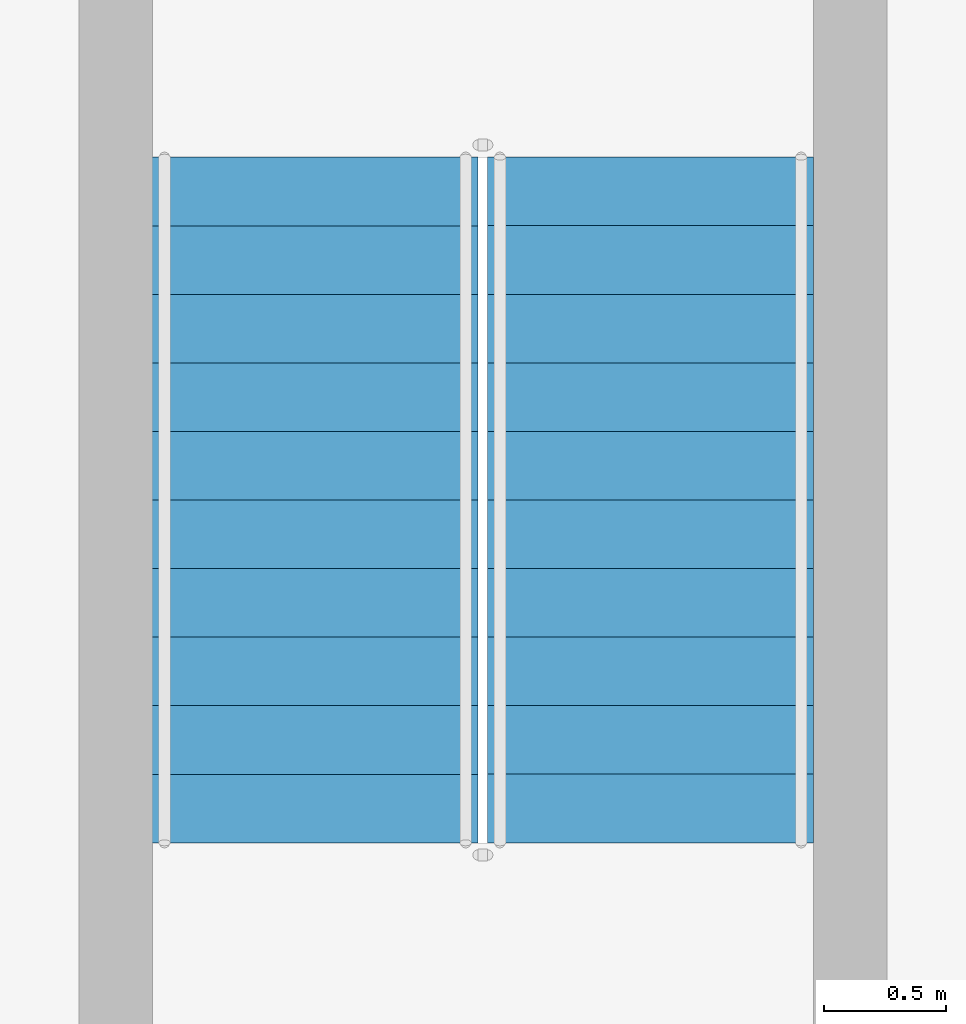
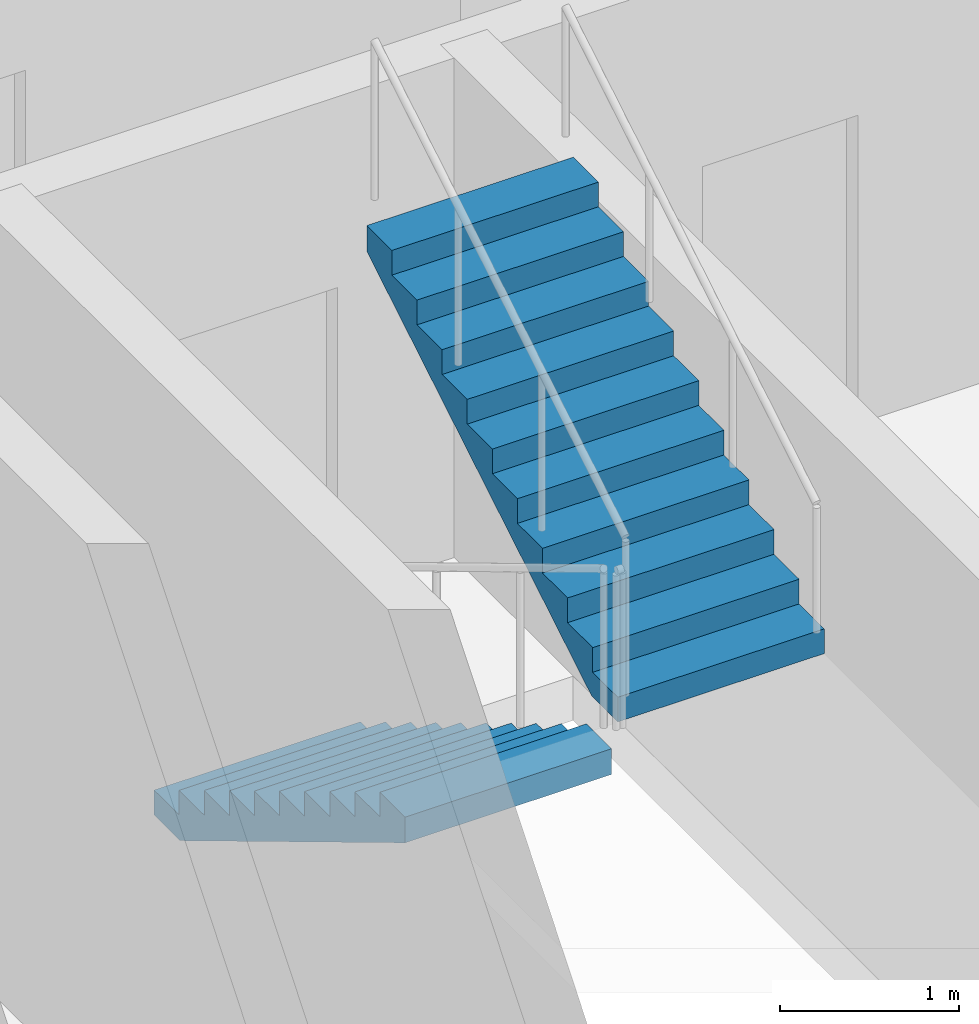
# One storey, part 15 of 23: 2 stair flights, 1 element without a shape of its own.
"""IFC4 building model written with IfcOpenShell, lengths in metres."""

from ifc_helpers import new_model, si_unit, direction, frame, origin, place, context, subcontext, project, spatial, triangles, source, transform, mapped, material, type_object, element, aggregate, save


model = new_model("IFC4")

# Units and contexts
model_context = context("Model", 3, precision=1e-05, world=origin(), true_north=direction((0.0, 1.0)))
body_context = subcontext(model_context, "Body", "Model", "MODEL_VIEW")
ifc_project = project(units=[si_unit("LENGTHUNIT", "METRE"), si_unit("AREAUNIT", "SQUARE_METRE"), si_unit("VOLUMEUNIT", "CUBIC_METRE"), si_unit("PLANEANGLEUNIT", "RADIAN"), si_unit("MASSUNIT", "GRAM", prefix="KILO")], contexts=[model_context])

# Site, building, storey
site_placement = place(None, origin())
site = spatial("IfcSite", under=ifc_project, at=site_placement, CompositionType="ELEMENT")
building_placement = place(site_placement, origin())
building = spatial("IfcBuilding", under=site, at=building_placement, Name="Ogive Portal Towers", CompositionType="ELEMENT")
storey_placement = place(building_placement, frame((0.0, 0.0, 175.5)))
storey = spatial("IfcBuildingStorey", under=building, at=storey_placement, Name="L43", CompositionType="ELEMENT", Elevation=175.5)

# Stair, stair flights
ifc_material = material(Name="Concrete C40/50", Category="concrete")
stair_type = type_object("IfcStairType", Name="INT-STAIR", PredefinedType="HALF_TURN_STAIR", material=ifc_material)
stair_placement = place(storey_placement, origin())
stair = element("IfcStair", 1, at=stair_placement, inside=storey, type_object=stair_type, Name="L43 Exit Stair ST-A4", PredefinedType="HALF_TURN_STAIR")
stair_flight_type = type_object("IfcStairFlightType", Name="INT-FLIGHT", PredefinedType="STRAIGHT", material=ifc_material)
shared_shape = source(origin(), body_context, "Body", "Tessellation", [
    triangles([(0.0, -0.6650390625, 0.0), (0.0, -0.384765625, 0.0), (0.0, -0.197021484375, 0.0), (0.0, -0.0830078125, 0.0), (0.0, -0.024658203125, 0.0), (0.0, -0.003173828125, 0.0), (0.0, 0.0, 0.0), (0.0, 0.003173828125, 0.0), (0.0, 0.024658203125, 0.0), (0.0, 0.0830078125, 0.0), (0.0, 0.197021484375, 0.0), (0.0, 0.384765625, 0.0), (0.0, 0.6650390625, 0.0), (0.0, -0.6650390625, 0.168212890625), (0.0, -0.384765625, 0.168212890625), (0.0, -0.197021484375, 0.168212890625), (0.0, -0.0830078125, 0.168212890625), (0.0, -0.024658203125, 0.168212890625), (0.0, -0.003173828125, 0.168212890625), (0.0, 0.0, 0.168212890625), (0.0, 0.003173828125, 0.168212890625), (0.0, 0.024658203125, 0.168212890625), (0.0, 0.0830078125, 0.168212890625), (0.0, 0.197021484375, 0.168212890625), (0.0, 0.384765625, 0.168212890625), (0.0, 0.6650390625, 0.168212890625), (0.280029296875, -0.6650390625, 0.168212890625), (0.280029296875, -0.384765625, 0.168212890625), (0.280029296875, -0.197021484375, 0.168212890625), (0.280029296875, -0.0830078125, 0.168212890625), (0.280029296875, -0.024658203125, 0.168212890625), (0.280029296875, -0.003173828125, 0.168212890625), (0.280029296875, 0.0, 0.168212890625), (0.280029296875, 0.003173828125, 0.168212890625), (0.280029296875, 0.024658203125, 0.168212890625), (0.280029296875, 0.0830078125, 0.168212890625), (0.280029296875, 0.197021484375, 0.168212890625), (0.280029296875, 0.384765625, 0.168212890625), (0.280029296875, 0.6650390625, 0.168212890625), (0.280029296875, -0.6650390625, 0.33642578125), (0.280029296875, -0.384765625, 0.33642578125), (0.280029296875, -0.197021484375, 0.33642578125), (0.280029296875, -0.0830078125, 0.33642578125), (0.280029296875, -0.024658203125, 0.33642578125), (0.280029296875, -0.003173828125, 0.33642578125), (0.280029296875, 0.0, 0.33642578125), (0.280029296875, 0.003173828125, 0.33642578125), (0.280029296875, 0.024658203125, 0.33642578125), (0.280029296875, 0.0830078125, 0.33642578125), (0.280029296875, 0.197021484375, 0.33642578125), (0.280029296875, 0.384765625, 0.33642578125), (0.280029296875, 0.6650390625, 0.33642578125), (0.56005859375, -0.6650390625, 0.33642578125), (0.56005859375, -0.384765625, 0.33642578125), (0.56005859375, -0.197021484375, 0.33642578125), (0.56005859375, -0.0830078125, 0.33642578125), (0.56005859375, -0.024658203125, 0.33642578125), (0.56005859375, -0.003173828125, 0.33642578125), (0.56005859375, 0.0, 0.33642578125), (0.56005859375, 0.003173828125, 0.33642578125), (0.56005859375, 0.024658203125, 0.33642578125), (0.56005859375, 0.0830078125, 0.33642578125), (0.56005859375, 0.197021484375, 0.33642578125), (0.56005859375, 0.384765625, 0.33642578125), (0.56005859375, 0.6650390625, 0.33642578125), (0.56005859375, -0.6650390625, 0.504638671875), (0.56005859375, -0.384765625, 0.504638671875), (0.56005859375, -0.197021484375, 0.504638671875), (0.56005859375, -0.0830078125, 0.504638671875), (0.56005859375, -0.024658203125, 0.504638671875), (0.56005859375, -0.003173828125, 0.504638671875), (0.56005859375, 0.0, 0.504638671875), (0.56005859375, 0.003173828125, 0.504638671875), (0.56005859375, 0.024658203125, 0.504638671875), (0.56005859375, 0.0830078125, 0.504638671875), (0.56005859375, 0.197021484375, 0.504638671875), (0.56005859375, 0.384765625, 0.504638671875), (0.56005859375, 0.6650390625, 0.504638671875), (0.840087890625, -0.6650390625, 0.504638671875), (0.840087890625, -0.384765625, 0.504638671875), (0.840087890625, -0.197021484375, 0.504638671875), (0.840087890625, -0.0830078125, 0.504638671875), (0.840087890625, -0.024658203125, 0.504638671875), (0.840087890625, -0.003173828125, 0.504638671875), (0.840087890625, 0.0, 0.504638671875), (0.840087890625, 0.003173828125, 0.504638671875), (0.840087890625, 0.024658203125, 0.504638671875), (0.840087890625, 0.0830078125, 0.504638671875), (0.840087890625, 0.197021484375, 0.504638671875), (0.840087890625, 0.384765625, 0.504638671875), (0.840087890625, 0.6650390625, 0.504638671875), (0.840087890625, -0.6650390625, 0.672607421875), (0.840087890625, -0.384765625, 0.672607421875), (0.840087890625, -0.197021484375, 0.672607421875), (0.840087890625, -0.0830078125, 0.672607421875), (0.840087890625, -0.024658203125, 0.672607421875), (0.840087890625, -0.003173828125, 0.672607421875), (0.840087890625, 0.0, 0.672607421875), (0.840087890625, 0.003173828125, 0.672607421875), (0.840087890625, 0.024658203125, 0.672607421875), (0.840087890625, 0.0830078125, 0.672607421875), (0.840087890625, 0.197021484375, 0.672607421875), (0.840087890625, 0.384765625, 0.672607421875), (0.840087890625, 0.6650390625, 0.672607421875), (1.1201171875, -0.6650390625, 0.672607421875), (1.1201171875, -0.384765625, 0.672607421875), (1.1201171875, -0.197021484375, 0.672607421875), (1.1201171875, -0.0830078125, 0.672607421875), (1.1201171875, -0.024658203125, 0.672607421875), (1.1201171875, -0.003173828125, 0.672607421875), (1.1201171875, 0.0, 0.672607421875), (1.1201171875, 0.003173828125, 0.672607421875), (1.1201171875, 0.024658203125, 0.672607421875), (1.1201171875, 0.0830078125, 0.672607421875), (1.1201171875, 0.197021484375, 0.672607421875), (1.1201171875, 0.384765625, 0.672607421875), (1.1201171875, 0.6650390625, 0.672607421875), (1.1201171875, -0.6650390625, 0.8408203125), (1.1201171875, -0.384765625, 0.8408203125), (1.1201171875, -0.197021484375, 0.8408203125), (1.1201171875, -0.0830078125, 0.8408203125), (1.1201171875, -0.024658203125, 0.8408203125), (1.1201171875, -0.003173828125, 0.8408203125), (1.1201171875, 0.0, 0.8408203125), (1.1201171875, 0.003173828125, 0.8408203125), (1.1201171875, 0.024658203125, 0.8408203125), (1.1201171875, 0.0830078125, 0.8408203125), (1.1201171875, 0.197021484375, 0.8408203125), (1.1201171875, 0.384765625, 0.8408203125), (1.1201171875, 0.6650390625, 0.8408203125), (1.39990234375, -0.6650390625, 0.8408203125), (1.39990234375, -0.384765625, 0.8408203125), (1.39990234375, -0.197021484375, 0.8408203125), (1.39990234375, -0.0830078125, 0.8408203125), (1.39990234375, -0.024658203125, 0.8408203125), (1.39990234375, -0.003173828125, 0.8408203125), (1.39990234375, 0.0, 0.8408203125), (1.39990234375, 0.003173828125, 0.8408203125), (1.39990234375, 0.024658203125, 0.8408203125), (1.39990234375, 0.0830078125, 0.8408203125), (1.39990234375, 0.197021484375, 0.8408203125), (1.39990234375, 0.384765625, 0.8408203125), (1.39990234375, 0.6650390625, 0.8408203125), (1.39990234375, -0.6650390625, 1.009033203125), (1.39990234375, -0.384765625, 1.009033203125), (1.39990234375, -0.197021484375, 1.009033203125), (1.39990234375, -0.0830078125, 1.009033203125), (1.39990234375, -0.024658203125, 1.009033203125), (1.39990234375, -0.003173828125, 1.009033203125), (1.39990234375, 0.0, 1.009033203125), (1.39990234375, 0.003173828125, 1.009033203125), (1.39990234375, 0.024658203125, 1.009033203125), (1.39990234375, 0.0830078125, 1.009033203125), (1.39990234375, 0.197021484375, 1.009033203125), (1.39990234375, 0.384765625, 1.009033203125), (1.39990234375, 0.6650390625, 1.009033203125), (1.679931640625, -0.6650390625, 1.009033203125), (1.679931640625, -0.384765625, 1.009033203125), (1.679931640625, -0.197021484375, 1.009033203125), (1.679931640625, -0.0830078125, 1.009033203125), (1.679931640625, -0.024658203125, 1.009033203125), (1.679931640625, -0.003173828125, 1.009033203125), (1.679931640625, 0.0, 1.009033203125), (1.679931640625, 0.003173828125, 1.009033203125), (1.679931640625, 0.024658203125, 1.009033203125), (1.679931640625, 0.0830078125, 1.009033203125), (1.679931640625, 0.197021484375, 1.009033203125), (1.679931640625, 0.384765625, 1.009033203125), (1.679931640625, 0.6650390625, 1.009033203125), (1.679931640625, -0.6650390625, 1.17724609375), (1.679931640625, -0.384765625, 1.17724609375), (1.679931640625, -0.197021484375, 1.17724609375), (1.679931640625, -0.0830078125, 1.17724609375), (1.679931640625, -0.024658203125, 1.17724609375), (1.679931640625, -0.003173828125, 1.17724609375), (1.679931640625, 0.0, 1.17724609375), (1.679931640625, 0.003173828125, 1.17724609375), (1.679931640625, 0.024658203125, 1.17724609375), (1.679931640625, 0.0830078125, 1.17724609375), (1.679931640625, 0.197021484375, 1.17724609375), (1.679931640625, 0.384765625, 1.17724609375), (1.679931640625, 0.6650390625, 1.17724609375), (1.9599609375, -0.6650390625, 1.17724609375), (1.9599609375, -0.384765625, 1.17724609375), (1.9599609375, -0.197021484375, 1.17724609375), (1.9599609375, -0.0830078125, 1.17724609375), (1.9599609375, -0.024658203125, 1.17724609375), (1.9599609375, -0.003173828125, 1.17724609375), (1.9599609375, 0.0, 1.17724609375), (1.9599609375, 0.003173828125, 1.17724609375), (1.9599609375, 0.024658203125, 1.17724609375), (1.9599609375, 0.0830078125, 1.17724609375), (1.9599609375, 0.197021484375, 1.17724609375), (1.9599609375, 0.384765625, 1.17724609375), (1.9599609375, 0.6650390625, 1.17724609375), (1.9599609375, -0.6650390625, 1.345458984375), (1.9599609375, -0.384765625, 1.345458984375), (1.9599609375, -0.197021484375, 1.345458984375), (1.9599609375, -0.0830078125, 1.345458984375), (1.9599609375, -0.024658203125, 1.345458984375), (1.9599609375, -0.003173828125, 1.345458984375), (1.9599609375, 0.0, 1.345458984375), (1.9599609375, 0.003173828125, 1.345458984375), (1.9599609375, 0.024658203125, 1.345458984375), (1.9599609375, 0.0830078125, 1.345458984375), (1.9599609375, 0.197021484375, 1.345458984375), (1.9599609375, 0.384765625, 1.345458984375), (1.9599609375, 0.6650390625, 1.345458984375), (2.239990234375, -0.6650390625, 1.345458984375), (2.239990234375, -0.384765625, 1.345458984375), (2.239990234375, -0.197021484375, 1.345458984375), (2.239990234375, -0.0830078125, 1.345458984375), (2.239990234375, -0.024658203125, 1.345458984375), (2.239990234375, -0.003173828125, 1.345458984375), (2.239990234375, 0.0, 1.345458984375), (2.239990234375, 0.003173828125, 1.345458984375), (2.239990234375, 0.024658203125, 1.345458984375), (2.239990234375, 0.0830078125, 1.345458984375), (2.239990234375, 0.197021484375, 1.345458984375), (2.239990234375, 0.384765625, 1.345458984375), (2.239990234375, 0.6650390625, 1.345458984375), (2.239990234375, -0.6650390625, 1.513671875), (2.239990234375, -0.384765625, 1.513671875), (2.239990234375, -0.197021484375, 1.513671875), (2.239990234375, -0.0830078125, 1.513671875), (2.239990234375, -0.024658203125, 1.513671875), (2.239990234375, -0.003173828125, 1.513671875), (2.239990234375, 0.0, 1.513671875), (2.239990234375, 0.003173828125, 1.513671875), (2.239990234375, 0.024658203125, 1.513671875), (2.239990234375, 0.0830078125, 1.513671875), (2.239990234375, 0.197021484375, 1.513671875), (2.239990234375, 0.384765625, 1.513671875), (2.239990234375, 0.6650390625, 1.513671875), (2.52001953125, -0.6650390625, 1.513671875), (2.52001953125, -0.384765625, 1.513671875), (2.52001953125, -0.197021484375, 1.513671875), (2.52001953125, -0.0830078125, 1.513671875), (2.52001953125, -0.024658203125, 1.513671875), (2.52001953125, -0.003173828125, 1.513671875), (2.52001953125, 0.0, 1.513671875), (2.52001953125, 0.003173828125, 1.513671875), (2.52001953125, 0.024658203125, 1.513671875), (2.52001953125, 0.0830078125, 1.513671875), (2.52001953125, 0.197021484375, 1.513671875), (2.52001953125, 0.384765625, 1.513671875), (2.52001953125, 0.6650390625, 1.513671875), (2.52001953125, -0.6650390625, 1.681884765625), (2.52001953125, -0.384765625, 1.681884765625), (2.52001953125, -0.197021484375, 1.681884765625), (2.52001953125, -0.0830078125, 1.681884765625), (2.52001953125, -0.024658203125, 1.681884765625), (2.52001953125, -0.003173828125, 1.681884765625), (2.52001953125, 0.0, 1.681884765625), (2.52001953125, 0.003173828125, 1.681884765625), (2.52001953125, 0.024658203125, 1.681884765625), (2.52001953125, 0.0830078125, 1.681884765625), (2.52001953125, 0.197021484375, 1.681884765625), (2.52001953125, 0.384765625, 1.681884765625), (2.52001953125, 0.6650390625, 1.681884765625), (2.800048828125, -0.6650390625, 1.681884765625), (2.800048828125, -0.384765625, 1.681884765625), (2.800048828125, -0.197021484375, 1.681884765625), (2.800048828125, -0.0830078125, 1.681884765625), (2.800048828125, -0.024658203125, 1.681884765625), (2.800048828125, -0.003173828125, 1.681884765625), (2.800048828125, 0.0, 1.681884765625), (2.800048828125, 0.003173828125, 1.681884765625), (2.800048828125, 0.024658203125, 1.681884765625), (2.800048828125, 0.0830078125, 1.681884765625), (2.800048828125, 0.197021484375, 1.681884765625), (2.800048828125, 0.384765625, 1.681884765625), (2.800048828125, 0.6650390625, 1.681884765625), (2.800048828125, -0.6650390625, 1.5068359375), (2.800048828125, -0.384765625, 1.5068359375), (2.800048828125, -0.197021484375, 1.5068359375), (2.800048828125, -0.0830078125, 1.5068359375), (2.800048828125, -0.024658203125, 1.5068359375), (2.800048828125, -0.003173828125, 1.5068359375), (2.800048828125, 0.0, 1.5068359375), (2.800048828125, 0.003173828125, 1.5068359375), (2.800048828125, 0.024658203125, 1.5068359375), (2.800048828125, 0.0830078125, 1.5068359375), (2.800048828125, 0.197021484375, 1.5068359375), (2.800048828125, 0.384765625, 1.5068359375), (2.800048828125, 0.6650390625, 1.5068359375), (0.291015625, -0.6650390625, 0.0), (0.291015625, -0.384765625, 0.0), (0.291015625, -0.197021484375, 0.0), (0.291015625, -0.0830078125, 0.0), (0.291015625, -0.024658203125, 0.0), (0.291015625, -0.003173828125, 0.0), (0.291015625, 0.0, 0.0), (0.291015625, 0.003173828125, 0.0), (0.291015625, 0.024658203125, 0.0), (0.291015625, 0.0830078125, 0.0), (0.291015625, 0.197021484375, 0.0), (0.291015625, 0.384765625, 0.0), (0.291015625, 0.6650390625, 0.0)], [[1, 14, 15], [1, 15, 2], [2, 15, 16], [2, 16, 3], [3, 16, 17], [3, 17, 4], [4, 17, 18], [4, 18, 5], [5, 18, 19], [5, 19, 6], [6, 19, 20], [6, 20, 7], [7, 20, 21], [7, 21, 8], [8, 21, 22], [8, 22, 9], [9, 22, 23], [9, 23, 10], [10, 23, 24], [10, 24, 11], [11, 24, 25], [11, 25, 12], [12, 25, 26], [12, 26, 13], [14, 27, 28], [14, 28, 15], [15, 28, 29], [15, 29, 16], [16, 29, 30], [16, 30, 17], [17, 30, 31], [17, 31, 18], [18, 31, 32], [18, 32, 19], [19, 32, 33], [19, 33, 20], [20, 33, 34], [20, 34, 21], [21, 34, 35], [21, 35, 22], [22, 35, 36], [22, 36, 23], [23, 36, 37], [23, 37, 24], [24, 37, 38], [24, 38, 25], [25, 38, 39], [25, 39, 26], [27, 40, 41], [27, 41, 28], [28, 41, 42], [28, 42, 29], [29, 42, 43], [29, 43, 30], [30, 43, 44], [30, 44, 31], [31, 44, 45], [31, 45, 32], [32, 45, 46], [32, 46, 33], [33, 46, 47], [33, 47, 34], [34, 47, 48], [34, 48, 35], [35, 48, 49], [35, 49, 36], [36, 49, 50], [36, 50, 37], [37, 50, 51], [37, 51, 38], [38, 51, 52], [38, 52, 39], [40, 53, 54], [40, 54, 41], [41, 54, 55], [41, 55, 42], [42, 55, 56], [42, 56, 43], [43, 56, 57], [43, 57, 44], [44, 57, 58], [44, 58, 45], [45, 58, 59], [45, 59, 46], [46, 59, 60], [46, 60, 47], [47, 60, 61], [47, 61, 48], [48, 61, 62], [48, 62, 49], [49, 62, 63], [49, 63, 50], [50, 63, 64], [50, 64, 51], [51, 64, 65], [51, 65, 52], [53, 66, 67], [53, 67, 54], [54, 67, 68], [54, 68, 55], [55, 68, 69], [55, 69, 56], [56, 69, 70], [56, 70, 57], [57, 70, 71], [57, 71, 58], [58, 71, 72], [58, 72, 59], [59, 72, 73], [59, 73, 60], [60, 73, 74], [60, 74, 61], [61, 74, 75], [61, 75, 62], [62, 75, 76], [62, 76, 63], [63, 76, 77], [63, 77, 64], [64, 77, 78], [64, 78, 65], [66, 79, 80], [66, 80, 67], [67, 80, 81], [67, 81, 68], [68, 81, 82], [68, 82, 69], [69, 82, 83], [69, 83, 70], [70, 83, 84], [70, 84, 71], [71, 84, 85], [71, 85, 72], [72, 85, 86], [72, 86, 73], [73, 86, 87], [73, 87, 74], [74, 87, 88], [74, 88, 75], [75, 88, 89], [75, 89, 76], [76, 89, 90], [76, 90, 77], [77, 90, 91], [77, 91, 78], [79, 92, 93], [79, 93, 80], [80, 93, 94], [80, 94, 81], [81, 94, 95], [81, 95, 82], [82, 95, 96], [82, 96, 83], [83, 96, 97], [83, 97, 84], [84, 97, 98], [84, 98, 85], [85, 98, 99], [85, 99, 86], [86, 99, 100], [86, 100, 87], [87, 100, 101], [87, 101, 88], [88, 101, 102], [88, 102, 89], [89, 102, 103], [89, 103, 90], [90, 103, 104], [90, 104, 91], [92, 105, 106], [92, 106, 93], [93, 106, 107], [93, 107, 94], [94, 107, 108], [94, 108, 95], [95, 108, 109], [95, 109, 96], [96, 109, 110], [96, 110, 97], [97, 110, 111], [97, 111, 98], [98, 111, 112], [98, 112, 99], [99, 112, 113], [99, 113, 100], [100, 113, 114], [100, 114, 101], [101, 114, 115], [101, 115, 102], [102, 115, 116], [102, 116, 103], [103, 116, 117], [103, 117, 104], [105, 118, 119], [105, 119, 106], [106, 119, 120], [106, 120, 107], [107, 120, 121], [107, 121, 108], [108, 121, 122], [108, 122, 109], [109, 122, 123], [109, 123, 110], [110, 123, 124], [110, 124, 111], [111, 124, 125], [111, 125, 112], [112, 125, 126], [112, 126, 113], [113, 126, 127], [113, 127, 114], [114, 127, 128], [114, 128, 115], [115, 128, 129], [115, 129, 116], [116, 129, 130], [116, 130, 117], [118, 131, 132], [118, 132, 119], [119, 132, 133], [119, 133, 120], [120, 133, 134], [120, 134, 121], [121, 134, 135], [121, 135, 122], [122, 135, 136], [122, 136, 123], [123, 136, 137], [123, 137, 124], [124, 137, 138], [124, 138, 125], [125, 138, 139], [125, 139, 126], [126, 139, 140], [126, 140, 127], [127, 140, 141], [127, 141, 128], [128, 141, 142], [128, 142, 129], [129, 142, 143], [129, 143, 130], [131, 144, 145], [131, 145, 132], [132, 145, 146], [132, 146, 133], [133, 146, 147], [133, 147, 134], [134, 147, 148], [134, 148, 135], [135, 148, 149], [135, 149, 136], [136, 149, 150], [136, 150, 137], [137, 150, 151], [137, 151, 138], [138, 151, 152], [138, 152, 139], [139, 152, 153], [139, 153, 140], [140, 153, 154], [140, 154, 141], [141, 154, 155], [141, 155, 142], [142, 155, 156], [142, 156, 143], [144, 157, 158], [144, 158, 145], [145, 158, 159], [145, 159, 146], [146, 159, 160], [146, 160, 147], [147, 160, 161], [147, 161, 148], [148, 161, 162], [148, 162, 149], [149, 162, 163], [149, 163, 150], [150, 163, 164], [150, 164, 151], [151, 164, 165], [151, 165, 152], [152, 165, 166], [152, 166, 153], [153, 166, 167], [153, 167, 154], [154, 167, 168], [154, 168, 155], [155, 168, 169], [155, 169, 156], [157, 170, 171], [157, 171, 158], [158, 171, 172], [158, 172, 159], [159, 172, 173], [159, 173, 160], [160, 173, 174], [160, 174, 161], [161, 174, 175], [161, 175, 162], [162, 175, 176], [162, 176, 163], [163, 176, 177], [163, 177, 164], [164, 177, 178], [164, 178, 165], [165, 178, 179], [165, 179, 166], [166, 179, 180], [166, 180, 167], [167, 180, 181], [167, 181, 168], [168, 181, 182], [168, 182, 169], [170, 183, 184], [170, 184, 171], [171, 184, 185], [171, 185, 172], [172, 185, 186], [172, 186, 173], [173, 186, 187], [173, 187, 174], [174, 187, 188], [174, 188, 175], [175, 188, 189], [175, 189, 176], [176, 189, 190], [176, 190, 177], [177, 190, 191], [177, 191, 178], [178, 191, 192], [178, 192, 179], [179, 192, 193], [179, 193, 180], [180, 193, 194], [180, 194, 181], [181, 194, 195], [181, 195, 182], [183, 196, 197], [183, 197, 184], [184, 197, 198], [184, 198, 185], [185, 198, 199], [185, 199, 186], [186, 199, 200], [186, 200, 187], [187, 200, 201], [187, 201, 188], [188, 201, 202], [188, 202, 189], [189, 202, 203], [189, 203, 190], [190, 203, 204], [190, 204, 191], [191, 204, 205], [191, 205, 192], [192, 205, 206], [192, 206, 193], [193, 206, 207], [193, 207, 194], [194, 207, 208], [194, 208, 195], [196, 209, 210], [196, 210, 197], [197, 210, 211], [197, 211, 198], [198, 211, 212], [198, 212, 199], [199, 212, 213], [199, 213, 200], [200, 213, 214], [200, 214, 201], [201, 214, 215], [201, 215, 202], [202, 215, 216], [202, 216, 203], [203, 216, 217], [203, 217, 204], [204, 217, 218], [204, 218, 205], [205, 218, 219], [205, 219, 206], [206, 219, 220], [206, 220, 207], [207, 220, 221], [207, 221, 208], [209, 222, 223], [209, 223, 210], [210, 223, 224], [210, 224, 211], [211, 224, 225], [211, 225, 212], [212, 225, 226], [212, 226, 213], [213, 226, 227], [213, 227, 214], [214, 227, 228], [214, 228, 215], [215, 228, 229], [215, 229, 216], [216, 229, 230], [216, 230, 217], [217, 230, 231], [217, 231, 218], [218, 231, 232], [218, 232, 219], [219, 232, 233], [219, 233, 220], [220, 233, 234], [220, 234, 221], [222, 235, 236], [222, 236, 223], [223, 236, 237], [223, 237, 224], [224, 237, 238], [224, 238, 225], [225, 238, 239], [225, 239, 226], [226, 239, 240], [226, 240, 227], [227, 240, 241], [227, 241, 228], [228, 241, 242], [228, 242, 229], [229, 242, 243], [229, 243, 230], [230, 243, 244], [230, 244, 231], [231, 244, 245], [231, 245, 232], [232, 245, 246], [232, 246, 233], [233, 246, 247], [233, 247, 234], [235, 248, 249], [235, 249, 236], [236, 249, 250], [236, 250, 237], [237, 250, 251], [237, 251, 238], [238, 251, 252], [238, 252, 239], [239, 252, 253], [239, 253, 240], [240, 253, 254], [240, 254, 241], [241, 254, 255], [241, 255, 242], [242, 255, 256], [242, 256, 243], [243, 256, 257], [243, 257, 244], [244, 257, 258], [244, 258, 245], [245, 258, 259], [245, 259, 246], [246, 259, 260], [246, 260, 247], [248, 261, 262], [248, 262, 249], [249, 262, 263], [249, 263, 250], [250, 263, 264], [250, 264, 251], [251, 264, 265], [251, 265, 252], [252, 265, 266], [252, 266, 253], [253, 266, 267], [253, 267, 254], [254, 267, 268], [254, 268, 255], [255, 268, 269], [255, 269, 256], [256, 269, 270], [256, 270, 257], [257, 270, 271], [257, 271, 258], [258, 271, 272], [258, 272, 259], [259, 272, 273], [259, 273, 260], [261, 274, 275], [261, 275, 262], [262, 275, 276], [262, 276, 263], [263, 276, 277], [263, 277, 264], [264, 277, 278], [264, 278, 265], [265, 278, 279], [265, 279, 266], [266, 279, 280], [266, 280, 267], [267, 280, 281], [267, 281, 268], [268, 281, 282], [268, 282, 269], [269, 282, 283], [269, 283, 270], [270, 283, 284], [270, 284, 271], [271, 284, 285], [271, 285, 272], [272, 285, 286], [272, 286, 273], [274, 287, 288], [274, 288, 275], [275, 288, 289], [275, 289, 276], [276, 289, 290], [276, 290, 277], [277, 290, 291], [277, 291, 278], [278, 291, 292], [278, 292, 279], [279, 292, 293], [279, 293, 280], [280, 293, 294], [280, 294, 281], [281, 294, 295], [281, 295, 282], [282, 295, 296], [282, 296, 283], [283, 296, 297], [283, 297, 284], [284, 297, 298], [284, 298, 285], [285, 298, 299], [285, 299, 286], [287, 1, 2], [287, 2, 288], [288, 2, 3], [288, 3, 289], [289, 3, 4], [289, 4, 290], [290, 4, 5], [290, 5, 291], [291, 5, 6], [291, 6, 292], [292, 6, 7], [292, 7, 293], [293, 7, 8], [293, 8, 294], [294, 8, 9], [294, 9, 295], [295, 9, 10], [295, 10, 296], [296, 10, 11], [296, 11, 297], [297, 11, 12], [297, 12, 298], [298, 12, 13], [298, 13, 299], [1, 287, 274], [13, 286, 299], [274, 261, 248], [286, 260, 273], [274, 248, 235], [286, 247, 260], [274, 235, 222], [286, 234, 247], [274, 222, 209], [286, 221, 234], [209, 196, 183], [221, 195, 208], [274, 209, 183], [286, 195, 221], [183, 170, 157], [195, 169, 182], [274, 183, 157], [286, 169, 195], [157, 144, 131], [169, 143, 156], [274, 157, 131], [286, 143, 169], [131, 118, 105], [143, 117, 130], [274, 131, 105], [286, 117, 143], [1, 274, 105], [13, 117, 286], [105, 92, 79], [117, 91, 104], [79, 66, 53], [91, 65, 78], [105, 79, 53], [117, 65, 91], [53, 40, 27], [65, 39, 52], [105, 53, 27], [117, 39, 65], [1, 105, 27], [13, 39, 117], [27, 14, 1], [39, 13, 26]], closed=True),
])
stair_flight_1_placement = place(storey_placement, frame((87.6650390625, 29.169921875, 0.0), z_axis=(0.0, 0.0, 1.0), x_axis=(0.0, -1.0, 0.0)))
stair_flight_1 = element("IfcStairFlight", 2, at=stair_flight_1_placement, type_object=stair_flight_type, Name="ST-A4 flight 1", NumberOfRisers=11, NumberOfTreads=10, PredefinedType="STRAIGHT", RiserHeight=0.168181818, TreadLength=0.28, context=body_context, shape_type="MappedRepresentation", body=[
    mapped(shared_shape, transform((0.0, 0.0, 0.0), scale=1.0)),
])
stair_flight_2_placement = place(storey_placement, frame((89.034912109375, 26.3701171875, 1.85009765625), z_axis=(0.0, 0.0, 1.0), x_axis=(0.0, 1.0, 0.0)))
stair_flight_2 = element("IfcStairFlight", 3, at=stair_flight_2_placement, type_object=stair_flight_type, Name="ST-A4 flight 2", NumberOfRisers=11, NumberOfTreads=10, PredefinedType="STRAIGHT", RiserHeight=0.168181818, TreadLength=0.28, context=body_context, shape_type="MappedRepresentation", body=[
    mapped(shared_shape, transform((0.0, 0.0, 0.0), scale=1.0)),
])
aggregate(stair, [stair_flight_1, stair_flight_2])

save(model, "model.ifc")
